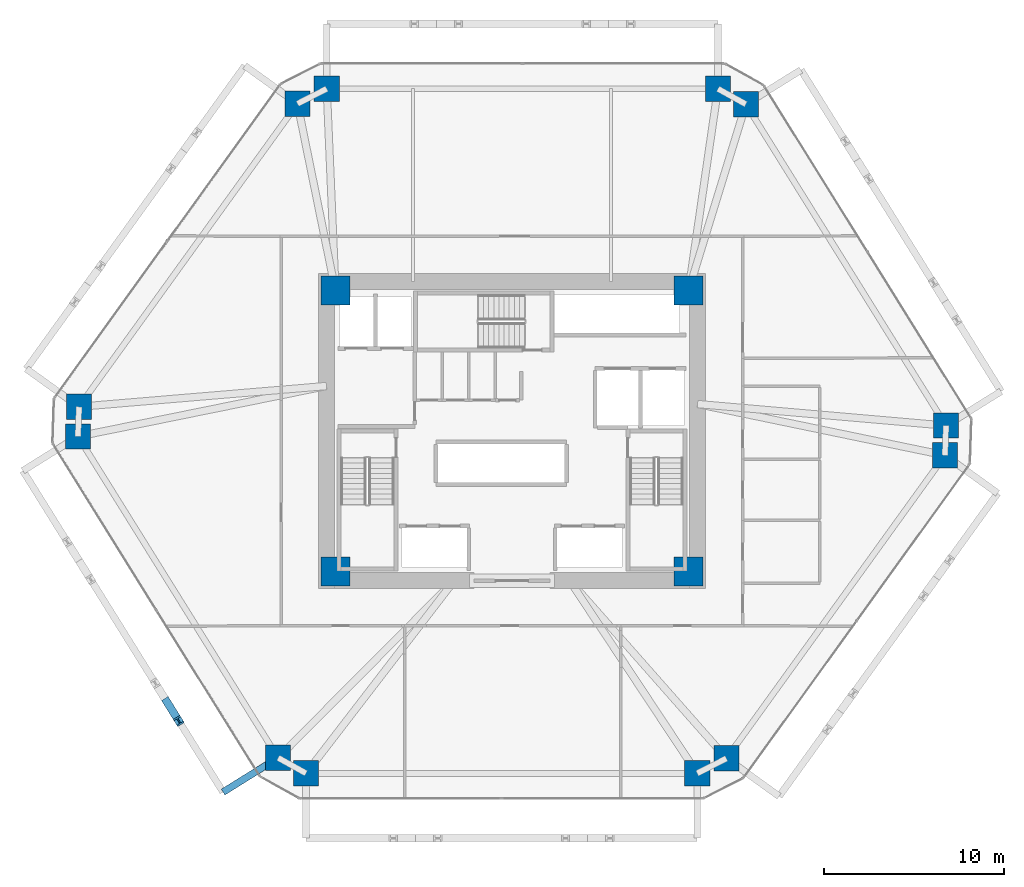
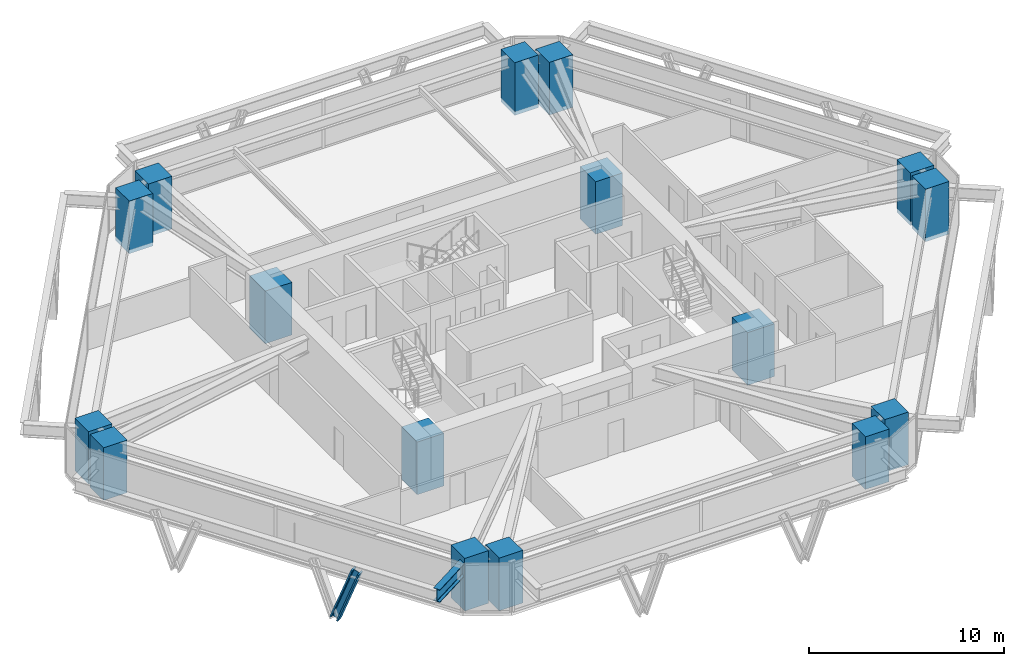
# One storey, part 1 of 14: 16 columns, 1 beam, 1 member.
"""IFC4 building model written with IfcOpenShell, lengths in metres."""

from ifc_helpers import new_model, si_unit, direction, frame, origin, origin_2d, place, context, subcontext, project, spatial, rectangle, i_section, extrude, source, transform, mapped, material, material_profile, profile_set, type_object, type_shapes, element, save


model = new_model("IFC4")

# Units and contexts
model_context = context("Model", 3, precision=1e-05, world=origin(), true_north=direction((0.0, 1.0)))
body_context = subcontext(model_context, "Body", "Model", "MODEL_VIEW")
ifc_project = project(units=[si_unit("LENGTHUNIT", "METRE"), si_unit("AREAUNIT", "SQUARE_METRE"), si_unit("VOLUMEUNIT", "CUBIC_METRE"), si_unit("PLANEANGLEUNIT", "RADIAN"), si_unit("MASSUNIT", "GRAM", prefix="KILO")], contexts=[model_context])

# Site, building, storey
site_placement = place(None, origin())
site = spatial("IfcSite", under=ifc_project, at=site_placement, CompositionType="ELEMENT")
building_placement = place(site_placement, origin())
building = spatial("IfcBuilding", under=site, at=building_placement, Name="Durnholm Broadcast Tower", CompositionType="ELEMENT")
storey_placement = place(building_placement, frame((0.0, 0.0, 68.699951171875)))
storey = spatial("IfcBuildingStorey", under=building, at=storey_placement, Name="L17", CompositionType="ELEMENT", Elevation=68.699951171875)

# Columns
ifc_material_1 = material(Name="Concrete C70/85", Category="concrete")
ifc_material_profile_1 = material_profile(ifc_material_1, rectangle(XDim=1.60009765625, YDim=1.60009765625, at=origin_2d()), Name="RC1600X1600")
ifc_profile_set_1 = profile_set([ifc_material_profile_1], Name="Concrete C70/85")
column_type_1 = type_object("IfcColumnType", Name="COL-CC-1600", PredefinedType="COLUMN", material=ifc_profile_set_1)
shared_shape_1 = source(origin(), body_context, "Body", "SweptSolid", [
    extrude(rectangle(XDim=1.60009765625, YDim=1.60009765625, at=origin_2d()), origin(), (0.0, 0.0, 1.0), 3.300048828125),
])
type_shapes(column_type_1, [shared_shape_1])
for number, where, z_axis, x_axis, name in (
    (1, (-9.800048828125, -7.800048828125, -0.239990234375), (0.0, 0.0, 1.0), (1.0, 0.0, 0.0), "L17 core corner column 1"),
    (2, (9.800048828125, -7.800048828125, -0.239990234375), (0.0, 0.0, 1.0), (1.0, 0.0, 0.0), "L17 core corner column 2"),
    (3, (9.800048828125, 7.800048828125, -0.239990234375), (0.0, 0.0, 1.0), (1.0, 0.0, 0.0), "L17 core corner column 3"),
    (4, (-9.800048828125, 7.800048828125, -0.239990234375), (0.0, 0.0, 1.0), (1.0, 0.0, 0.0), "L17 core corner column 4"),
):
    element("IfcColumn", number, at=place(storey_placement, frame(where, z_axis=z_axis, x_axis=x_axis)), inside=storey, type_object=column_type_1, Name=name, PredefinedType="COLUMN", context=body_context, shape_type="MappedRepresentation", body=[
        mapped(shared_shape_1, transform((0.0, 0.0, 0.0), x_axis=(1.0, 0.0, 0.0), y_axis=(0.0, 1.0, 0.0), z_axis=(0.0, 0.0, 1.0), scale=1.0)),
    ])
ifc_material_profile_2 = material_profile(ifc_material_1, rectangle(XDim=1.39990234375, YDim=1.39990234375, at=origin_2d()), Name="RC1400X1400")
ifc_profile_set_2 = profile_set([ifc_material_profile_2], Name="Concrete C70/85")
column_type_2 = type_object("IfcColumnType", Name="COL-CC-1400", PredefinedType="COLUMN", material=ifc_profile_set_2)
shared_shape_2 = source(origin(), body_context, "Body", "SweptSolid", [
    extrude(rectangle(XDim=1.39990234375, YDim=1.39990234375, at=origin_2d()), origin(), (0.0, 0.0, 1.0), 3.300048828125),
])
type_shapes(column_type_2, [shared_shape_2])
for number, where, z_axis, x_axis, name in (
    (5, (-12.982666015625, -18.138427734375, -0.239990234375), (0.0, 0.0, 1.0), (1.0, 0.0, 0.0), "L17 perimeter hexagonal tube column 01"),
    (6, (-24.0908203125, -0.2998046875, -0.239990234375), (0.0, 0.0, 1.0), (1.0, 0.0, 0.0), "L17 perimeter hexagonal tube column 02"),
    (7, (-24.034912109375, 1.347412109375, -0.239990234375), (0.0, 0.0, 1.0), (1.0, 0.0, 0.0), "L17 perimeter hexagonal tube column 03"),
    (8, (-11.907470703125, 18.16845703125, -0.239990234375), (0.0, 0.0, 1.0), (1.0, 0.0, 0.0), "L17 perimeter hexagonal tube column 04"),
    (9, (-10.28271484375, 19.0, -0.239990234375), (0.0, 0.0, 1.0), (1.0, 0.0, 0.0), "L17 perimeter hexagonal tube column 05"),
    (10, (11.43115234375, 19.0, -0.239990234375), (0.0, 0.0, 1.0), (1.0, 0.0, 0.0), "L17 perimeter hexagonal tube column 06"),
    (11, (12.982666015625, 18.138427734375, -0.239990234375), (0.0, 0.0, 1.0), (1.0, 0.0, 0.0), "L17 perimeter hexagonal tube column 07"),
    (12, (24.0908203125, 0.2998046875, -0.239990234375), (0.0, 0.0, 1.0), (1.0, 0.0, 0.0), "L17 perimeter hexagonal tube column 08"),
    (13, (24.034912109375, -1.347412109375, -0.239990234375), (0.0, 0.0, 1.0), (1.0, 0.0, 0.0), "L17 perimeter hexagonal tube column 09"),
    (14, (11.907470703125, -18.16845703125, -0.239990234375), (0.0, 0.0, 1.0), (1.0, 0.0, 0.0), "L17 perimeter hexagonal tube column 10"),
    (15, (10.28271484375, -19.0, -0.239990234375), (0.0, 0.0, 1.0), (1.0, 0.0, 0.0), "L17 perimeter hexagonal tube column 11"),
    (16, (-11.43115234375, -19.0, -0.239990234375), (0.0, 0.0, 1.0), (1.0, 0.0, 0.0), "L17 perimeter hexagonal tube column 12"),
):
    element("IfcColumn", number, at=place(storey_placement, frame(where, z_axis=z_axis, x_axis=x_axis)), inside=storey, type_object=column_type_2, Name=name, PredefinedType="COLUMN", context=body_context, shape_type="MappedRepresentation", body=[
        mapped(shared_shape_2, transform((0.0, 0.0, 0.0), x_axis=(1.0, 0.0, 0.0), y_axis=(0.0, 1.0, 0.0), z_axis=(0.0, 0.0, 1.0), scale=1.0)),
    ])

# Beam
ifc_material_2 = material(Name="Steel ASTM A992 Grade 50", Category="steel")
ifc_material_profile_3 = material_profile(ifc_material_2, i_section(OverallWidth=0.385009765625, OverallDepth=0.802978515625, WebThickness=0.023681640625, FlangeThickness=0.0419921875, FilletRadius=0.032958984375, at=origin_2d()), Name="W30X261")
ifc_profile_set_3 = profile_set([ifc_material_profile_3], Name="Steel ASTM A992 Grade 50")
beam_type = type_object("IfcBeamType", Name="BM-EXO-TIE", PredefinedType="USERDEFINED", material=ifc_profile_set_3)
shared_shape_3 = source(origin(), body_context, "Body", "SweptSolid", [
    extrude(i_section(OverallWidth=0.385009765625, OverallDepth=0.802978515625, WebThickness=0.023681640625, FlangeThickness=0.0419921875, FilletRadius=0.032958984375, at=origin_2d()), origin(), (0.0, 0.0, 1.0), 3.4560546875),
])
type_shapes(beam_type, [shared_shape_3])
beam_placement = place(storey_placement, frame((-13.10498046875, -18.214599609375, 2.30859375), z_axis=(-0.848854443891, -0.528626648105, 0.0), x_axis=(0.528626648105, -0.848854443891, 0.0)))
element("IfcBeam", 17, at=beam_placement, inside=storey, type_object=beam_type, Name="L17 exoskeleton stand-off tie bracket F6.2", ObjectType="GIRDER", PredefinedType="USERDEFINED", context=body_context, shape_type="MappedRepresentation", body=[
    mapped(shared_shape_3, transform((0.0, 0.0, 0.0), x_axis=(1.0, 0.0, 0.0), y_axis=(0.0, 1.0, 0.0), z_axis=(0.0, 0.0, 1.0), scale=1.0)),
])

# Member
ifc_material_3 = material(Name="Steel ASTM A913 Grade 65", Category="steel")
ifc_material_profile_4 = material_profile(ifc_material_3, i_section(OverallWidth=0.43212890625, OverallDepth=0.497802734375, WebThickness=0.0556640625, FlangeThickness=0.0888671875, FilletRadius=0.030517578125, at=origin_2d()), Name="W14X500")
ifc_profile_set_4 = profile_set([ifc_material_profile_4], Name="Steel ASTM A913 Grade 65")
member_type = type_object("IfcMemberType", Name="STL-DG-W14X500", PredefinedType="BRACE", material=ifc_profile_set_4)
shared_shape_4 = source(origin(), body_context, "Body", "SweptSolid", [
    extrude(i_section(OverallWidth=0.43212890625, OverallDepth=0.497802734375, WebThickness=0.0556640625, FlangeThickness=0.0888671875, FilletRadius=0.030517578125, at=origin_2d()), origin(), (0.0, 0.0, 1.0), 3.523193359375),
])
type_shapes(member_type, [shared_shape_4])
member_placement = place(storey_placement, frame((-19.14892578125, -15.04638671875, -0.991455078125), z_axis=(0.185090383068, -0.297281072018, 0.936677913861), x_axis=(0.848908635391, 0.528539618911, 0.0)))
element("IfcMember", 18, at=member_placement, inside=storey, type_object=member_type, Name="L17 stand-off diagrid brace F6.D2.2", PredefinedType="BRACE", context=body_context, shape_type="MappedRepresentation", body=[
    mapped(shared_shape_4, transform((0.0, 0.0, 0.0), x_axis=(1.0, 0.0, 0.0), y_axis=(0.0, 1.0, 0.0), z_axis=(0.0, 0.0, 1.0), scale=1.0)),
])

save(model, "model.ifc")
